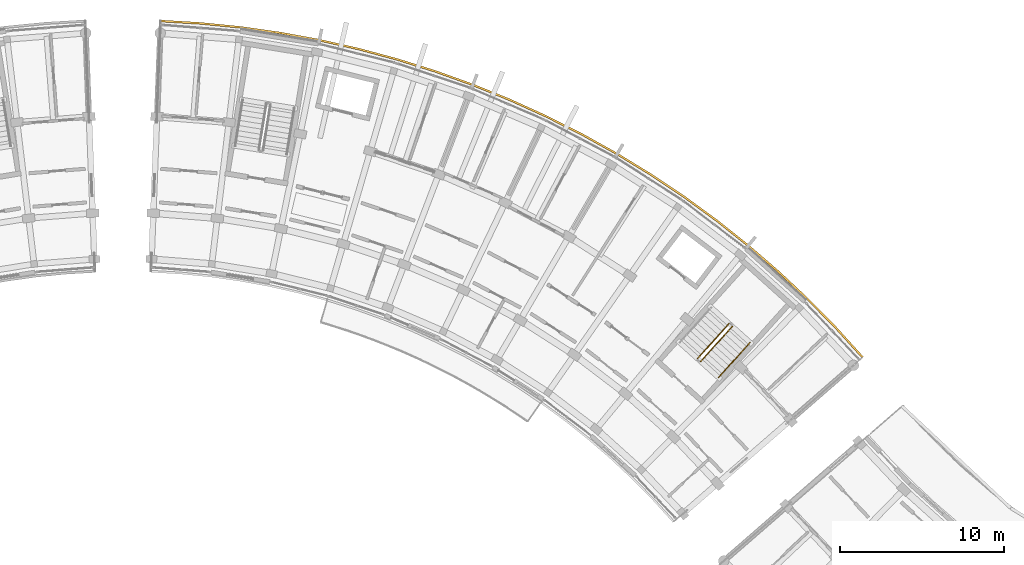
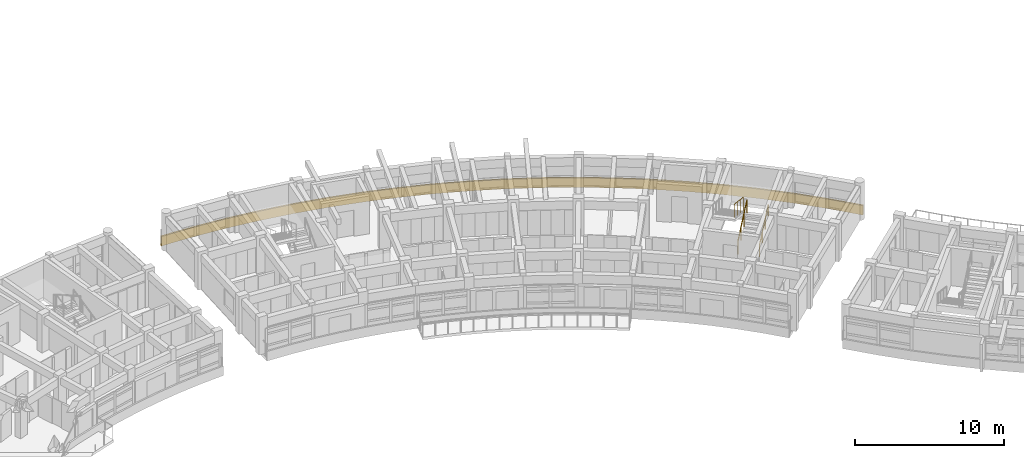
# One storey, part 52 of 54: 4 railings.
"""IFC4 building model written with IfcOpenShell, lengths in metres."""

from ifc_helpers import new_model, si_unit, direction, frame, origin, origin_2d, place, context, subcontext, project, spatial, polyline, circle, outline, extrude, material, type_object, element, save


model = new_model("IFC4")

# Units and contexts
model_context = context("Model", 3, precision=1e-05, world=origin(), true_north=direction((0.0, 1.0)))
body_context = subcontext(model_context, "Body", "Model", "MODEL_VIEW")
ifc_project = project(units=[si_unit("LENGTHUNIT", "METRE"), si_unit("AREAUNIT", "SQUARE_METRE"), si_unit("VOLUMEUNIT", "CUBIC_METRE"), si_unit("PLANEANGLEUNIT", "RADIAN"), si_unit("MASSUNIT", "GRAM", prefix="KILO")], contexts=[model_context])

# Site, building, storey
site_placement = place(None, origin())
site = spatial("IfcSite", under=ifc_project, at=site_placement, CompositionType="ELEMENT")
building_placement = place(site_placement, origin())
building = spatial("IfcBuilding", under=site, at=building_placement, Name="Zimvara Arc Housing Community", CompositionType="ELEMENT")
storey_placement = place(building_placement, frame((0.0, 0.0, 23.60009765625)))
storey = spatial("IfcBuildingStorey", under=building, at=storey_placement, Name="L07", CompositionType="ELEMENT", Elevation=23.60009765625)

# Railings
ifc_material_1 = material(Name="Anodised Aluminium AW-6063", Category="aluminium")
railing_type_1 = type_object("IfcRailingType", Name="RLG-BAL-1120", PredefinedType="BALUSTRADE", material=ifc_material_1)
railing_1_placement = place(storey_placement, frame((80.1455078125, 83.365966796875, 0.15478515625)))
element("IfcRailing", 1, at=railing_1_placement, inside=storey, type_object=railing_type_1, Name="L07 ST-B2 stair guard 1", PredefinedType="BALUSTRADE", context=body_context, shape_type="SweptSolid", body=[
    extrude(circle(Radius=0.02392578125, at=origin_2d()), frame((0.0, 0.0, 1.09619140625), z_axis=(0.601231728384, 0.668248248038, 0.438137749775), x_axis=(-0.743400174344, 0.668846903847, 0.0)), (0.0, 0.0, 1.0), 3.18408203125),
    extrude(circle(Radius=0.02099609375, at=origin_2d()), origin(), (0.0, 0.0, 1.0), 1.072021484375),
    extrude(circle(Radius=0.02099609375, at=origin_2d()), frame((0.63818359375, 0.709228515625, 0.465087890625)), (0.0, 0.0, 1.0), 1.072021484375),
    extrude(circle(Radius=0.02099609375, at=origin_2d()), frame((1.276123046875, 1.41845703125, 0.929931640625)), (0.0, 0.0, 1.0), 1.072021484375),
    extrude(circle(Radius=0.02099609375, at=origin_2d()), frame((1.914306640625, 2.127685546875, 1.39501953125)), (0.0, 0.0, 1.0), 1.072021484375),
])
railing_2_placement = place(storey_placement, frame((81.866455078125, 85.66748046875, 1.704833984375)))
element("IfcRailing", 2, at=railing_2_placement, inside=storey, type_object=railing_type_1, Name="L07 ST-B2 stair guard 3", PredefinedType="BALUSTRADE", context=body_context, shape_type="SweptSolid", body=[
    extrude(circle(Radius=0.02392578125, at=origin_2d()), frame((0.0, 0.0, 1.09619140625), z_axis=(-0.601262536038, -0.668205807809, 0.438160200347), x_axis=(0.743362010683, -0.668889319, 0.0)), (0.0, 0.0, 1.0), 3.183837890625),
    extrude(circle(Radius=0.02099609375, at=origin_2d()), origin(), (0.0, 0.0, 1.0), 1.072021484375),
    extrude(circle(Radius=0.02099609375, at=origin_2d()), frame((-0.63818359375, -0.709228515625, 0.465087890625)), (0.0, 0.0, 1.0), 1.072021484375),
    extrude(circle(Radius=0.02099609375, at=origin_2d()), frame((-1.276123046875, -1.418212890625, 0.929931640625)), (0.0, 0.0, 1.0), 1.072021484375),
    extrude(circle(Radius=0.02099609375, at=origin_2d()), frame((-1.914306640625, -2.12744140625, 1.39501953125)), (0.0, 0.0, 1.0), 1.072021484375),
])
ifc_material_2 = material(Name="Pale-Gold Anodised Aluminium AW-6063", Category="aluminium")
railing_type_2 = type_object("IfcRailingType", Name="RLG-FAS-780", PredefinedType="BALUSTRADE", material=ifc_material_2)
railing_3_placement = place(storey_placement, frame((0.0, 0.0, -0.22021484375)))
element("IfcRailing", 3, at=railing_3_placement, inside=storey, type_object=railing_type_2, Name="rlg:blkB:L07:gold_out", PredefinedType="BALUSTRADE", context=body_context, shape_type="SweptSolid", body=[
    extrude(outline(polyline([(47.286376953125, 104.01611328125), (49.71435546875, 103.873046875), (52.134765625, 103.631103515625), (54.54296875, 103.29052734375), (56.935546875, 102.851806640625), (59.307861328125, 102.31591796875), (61.65673828125, 101.68359375), (63.9775390625, 100.955810546875), (66.266845703125, 100.1337890625), (68.5205078125, 99.218994140625), (70.735107421875, 98.213134765625), (72.90673828125, 97.11767578125), (75.03173828125, 95.934326171875), (77.106689453125, 94.665283203125), (79.128173828125, 93.3125), (81.0927734375, 91.87841796875), (82.9970703125, 90.365234375), (84.837890625, 88.775634765625), (86.612548828125, 87.112060546875), (88.317626953125, 85.377685546875), (89.950439453125, 83.574951171875), (90.041015625, 83.653564453125), (88.40478515625, 85.4599609375), (86.6962890625, 87.197998046875), (84.918212890625, 88.86474609375), (83.073486328125, 90.457763671875), (81.165283203125, 91.973876953125), (79.197021484375, 93.410888671875), (77.17138671875, 94.766357421875), (75.09228515625, 96.037841796875), (72.962890625, 97.2236328125), (70.786865234375, 98.3212890625), (68.56787109375, 99.329345703125), (66.3095703125, 100.245849609375), (64.015625, 101.069580078125), (61.690185546875, 101.798583984375), (59.3369140625, 102.432373046875), (56.95947265625, 102.969482421875), (54.562255859375, 103.408935546875), (52.149169921875, 103.750244140625), (49.723876953125, 103.99267578125), (47.291015625, 104.135986328125), (47.286376953125, 104.01611328125)])), origin(), (0.0, 0.0, 1.0), 0.780029296875),
])
ifc_material_3 = material(Name="Anodised Aluminium AW-6063", Category="aluminium")
railing_type_3 = type_object("IfcRailingType", Name="RLG-HND-900", PredefinedType="HANDRAIL", material=ifc_material_3)
railing_4_placement = place(storey_placement, frame((81.230712890625, 82.389404296875, 0.15478515625)))
element("IfcRailing", 4, at=railing_4_placement, inside=storey, type_object=railing_type_3, Name="L07 ST-B2 stair handrail 1", PredefinedType="HANDRAIL", context=body_context, shape_type="SweptSolid", body=[
    extrude(circle(Radius=0.02392578125, at=origin_2d()), frame((0.0, 0.0, 0.8759765625), z_axis=(0.601231728384, 0.668248248038, 0.438137749775), x_axis=(-0.743400174344, 0.668846903847, 0.0)), (0.0, 0.0, 1.0), 3.18408203125),
    extrude(circle(Radius=0.02099609375, at=origin_2d()), origin(), (0.0, 0.0, 1.0), 0.851806640625),
    extrude(circle(Radius=0.02099609375, at=origin_2d()), frame((0.63818359375, 0.709228515625, 0.465087890625)), (0.0, 0.0, 1.0), 0.851806640625),
    extrude(circle(Radius=0.02099609375, at=origin_2d()), frame((1.276123046875, 1.41845703125, 0.929931640625)), (0.0, 0.0, 1.0), 0.851806640625),
    extrude(circle(Radius=0.02099609375, at=origin_2d()), frame((1.914306640625, 2.127685546875, 1.39501953125)), (0.0, 0.0, 1.0), 0.851806640625),
])

save(model, "model.ifc")
